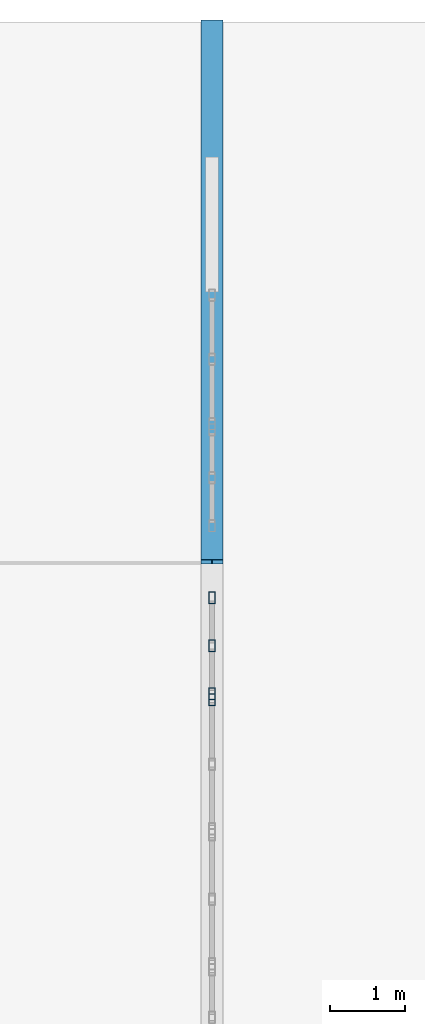
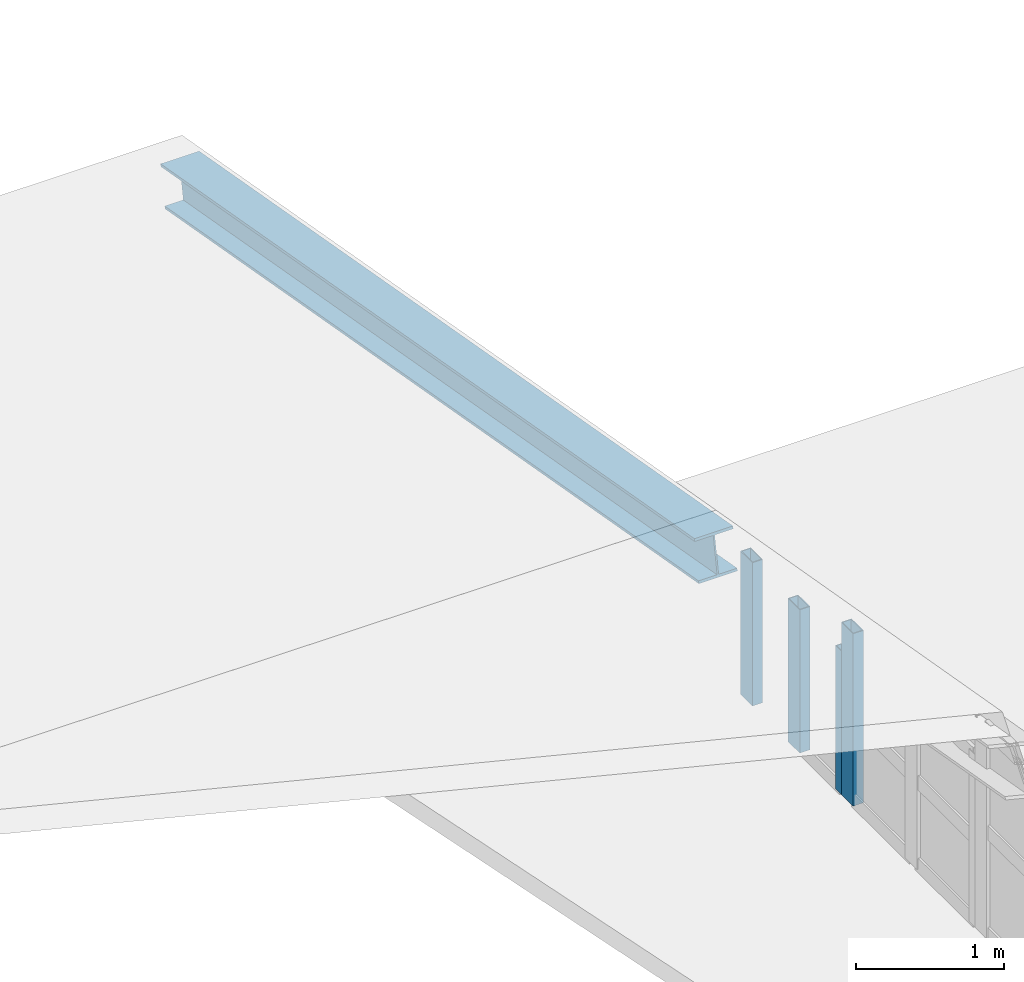
# One storey, part 16 of 39: 4 members, 1 beam, 2 elements without a shape of their own.
"""IFC4 building model written with IfcOpenShell, lengths in metres."""

import ifcopenshell
import ifcopenshell.guid

model = None  # the IFC model being written
_history = None  # IfcOwnerHistory: only IFC2X3 demands one
_inside = {}  # id of a spatial element -> (the spatial element, [elements in it])
_under = {}  # id of a project, library or spatial element -> (it, [spatial elements below it])
_declared = {}  # id of a project -> (the project, [libraries it declares])
_typed = {}  # id of a type object -> (the type object, [elements of that type])
_made_of = {}  # id of a material, layer set ... -> (it, [elements and type objects made of it])


def new_model(schema):
    """Start an empty IFC model of exactly this schema.

    Asked for "IFC4X3", IfcOpenShell would pick the latest addendum, in which some entities
    have other attributes; the version numbers below select the first issue.
    IFC2X3 requires an IfcOwnerHistory on every rooted entity: one is made here for all.
    """
    global model, _history
    if schema == "IFC4X3":
        model = ifcopenshell.file(schema_version=(4, 3, 0, 0))
    else:
        model = ifcopenshell.file(schema=schema)
    _inside.clear()
    _under.clear()
    _declared.clear()
    _typed.clear()
    _made_of.clear()
    _history = None
    if model.schema == "IFC2X3":
        org = make("IfcOrganization", Name="unknown")
        user = make(
            "IfcPersonAndOrganization",
            ThePerson=make("IfcPerson", FamilyName="unknown"),
            TheOrganization=org,
        )
        app = make(
            "IfcApplication",
            ApplicationDeveloper=org,
            Version="unknown",
            ApplicationFullName="unknown",
            ApplicationIdentifier="unknown",
        )
        _history = make(
            "IfcOwnerHistory",
            OwningUser=user,
            OwningApplication=app,
            ChangeAction="ADDED",
            CreationDate=0,
        )
    return model


def make(cls, **values):
    """One entity of the class cls with the attributes given. An attribute that is None is left unset."""
    return model.create_entity(
        cls, **{name: value for name, value in values.items() if value is not None}
    )


def rooted(cls, **values):
    """An entity with a GlobalId (a new one), such as an element, a storey or a relation."""
    return make(cls, GlobalId=ifcopenshell.guid.new(), OwnerHistory=_history, **values)


def si_unit(unit_type, name, prefix=None):
    """IfcSIUnit, for example si_unit("LENGTHUNIT", "METRE", prefix="MILLI")."""
    return make("IfcSIUnit", UnitType=unit_type, Prefix=prefix, Name=name)


def assignment(units):
    """IfcUnitAssignment: the units of a project."""
    return None if units is None else make("IfcUnitAssignment", Units=units)


def point(xyz):
    """IfcCartesianPoint."""
    return None if xyz is None else make("IfcCartesianPoint", Coordinates=xyz)


def direction(xyz):
    """IfcDirection."""
    return None if xyz is None else make("IfcDirection", DirectionRatios=xyz)


def frame(location, z_axis=None, x_axis=None):
    """IfcAxis2Placement3D, a coordinate frame: its origin and axes. An axis left out is left unset."""
    return make(
        "IfcAxis2Placement3D",
        Location=point(location),
        Axis=direction(z_axis),
        RefDirection=direction(x_axis),
    )


def frame_2d(location, x_axis=None):
    """IfcAxis2Placement2D, a coordinate frame in the plane: its origin and x axis."""
    return make(
        "IfcAxis2Placement2D", Location=point(location), RefDirection=direction(x_axis)
    )


def origin():
    """The frame at (0, 0, 0) with its axes left unset."""
    return frame((0.0, 0.0, 0.0))


def origin_2d():
    """The frame at (0, 0) in the plane with its x axis left unset."""
    return frame_2d((0.0, 0.0))


def place(relative_to, where):
    """IfcLocalPlacement: puts the frame where relative to a parent placement (None: the world)."""
    return make(
        "IfcLocalPlacement", PlacementRelTo=relative_to, RelativePlacement=where
    )


def context(
    kind, dimensions, precision=None, world=None, true_north=None, identifier=None
):
    """IfcGeometricRepresentationContext, for example the 3D "Model" context."""
    return make(
        "IfcGeometricRepresentationContext",
        ContextIdentifier=identifier,
        ContextType=kind,
        CoordinateSpaceDimension=dimensions,
        Precision=precision,
        WorldCoordinateSystem=world,
        TrueNorth=true_north,
    )


def subcontext(parent, identifier, kind, view, scale=None):
    """IfcGeometricRepresentationSubContext, for example "Body" below "Model"."""
    return make(
        "IfcGeometricRepresentationSubContext",
        ContextIdentifier=identifier,
        ContextType=kind,
        ParentContext=parent,
        TargetScale=scale,
        TargetView=view,
    )


def project(units=None, contexts=None):
    """IfcProject with its units and contexts."""
    return rooted(
        "IfcProject",
        Name="project",
        RepresentationContexts=contexts,
        UnitsInContext=assignment(units),
    )


def spatial(cls, under=None, at=None, **own):
    """A site, building, storey or space (cls), placed at a placement, below another one or the project."""
    s = rooted(cls, ObjectPlacement=at, **own)
    if under is not None:
        _under.setdefault(under.id(), (under, []))[1].append(s)
    return s


def profile(cls, at=None, kind="AREA", **sizes):
    """A parametric profile (cls). Its sizes go by their IFC names, for example OverallWidth=200.0."""
    return make(cls, ProfileType=kind, Position=at, **sizes)


def hollow_rectangle(**sizes):
    """IfcRectangleHollowProfileDef."""
    return profile("IfcRectangleHollowProfileDef", **sizes)


def i_section(**sizes):
    """IfcIShapeProfileDef."""
    return profile("IfcIShapeProfileDef", **sizes)


def extrude(swept, where, along, depth):
    """IfcExtrudedAreaSolid: the profile swept, set in the frame where, extruded along a direction by depth."""
    return make(
        "IfcExtrudedAreaSolid",
        SweptArea=swept,
        Position=where,
        ExtrudedDirection=direction(along),
        Depth=depth,
    )


def shape(context_of_items, identifier, shape_type, items):
    """IfcShapeRepresentation: the items that make up one representation, for example the "Body"."""
    return make(
        "IfcShapeRepresentation",
        ContextOfItems=context_of_items,
        RepresentationIdentifier=identifier,
        RepresentationType=shape_type,
        Items=items,
    )


def material(Name=None, Category=None):
    """IfcMaterial."""
    return make("IfcMaterial", Name=Name, Category=Category)


def layer(
    of_material, thickness, ventilated=None, Name=None, Category=None, Priority=None
):
    """IfcMaterialLayer: one layer of a wall or slab, of a material (None: an air gap)."""
    return make(
        "IfcMaterialLayer",
        Material=of_material,
        LayerThickness=thickness,
        IsVentilated=ventilated,
        Name=Name,
        Category=Category,
        Priority=Priority,
    )


def layer_set(layers, Name=None):
    """IfcMaterialLayerSet."""
    return make("IfcMaterialLayerSet", MaterialLayers=layers, LayerSetName=Name)


def material_profile(
    of_material, cross_section, Name=None, Category=None, Priority=None
):
    """IfcMaterialProfile: a cross section and its material."""
    return make(
        "IfcMaterialProfile",
        Name=Name,
        Material=of_material,
        Profile=cross_section,
        Priority=Priority,
        Category=Category,
    )


def profile_set(profiles, Name=None, composite=None):
    """IfcMaterialProfileSet."""
    return make(
        "IfcMaterialProfileSet",
        Name=Name,
        MaterialProfiles=profiles,
        CompositeProfile=composite,
    )


def made_of(thing, what):
    """Note that an element or type object is made of a material, layer set ...; save() writes the relation."""
    if what is not None:
        _made_of.setdefault(what.id(), (what, []))[1].append(thing)
    return thing


def type_object(cls, material=None, **own):
    """A type object (cls), such as IfcWallType, which elements share."""
    return made_of(rooted(cls, **own), material)


def element(
    cls,
    number,
    at=None,
    inside=None,
    cuts=None,
    type_object=None,
    material=None,
    context=None,
    identifier="Body",
    shape_type=None,
    held_by="IfcProductDefinitionShape",
    body=None,
    shapes=None,
    **own,
):
    """One element of the class cls, such as IfcWall. Its Tag is "e" and its number.

    at: its placement. inside: the storey or other place that contains it. cuts: it is an
    opening in that element (IfcRelVoidsElement). A single representation is given by context,
    identifier, shape_type and body (its items); several are given by shapes. held_by: the class
    of the entity that holds the representations. save() writes the other relations.
    """
    e = rooted(cls, Tag="e%d" % number, ObjectPlacement=at, **own)
    if body is not None:
        shapes = [shape(context, identifier, shape_type, body)]
    if shapes is not None:
        e.Representation = make(held_by, Representations=shapes)
    if inside is not None:
        _inside.setdefault(inside.id(), (inside, []))[1].append(e)
    if cuts is not None:
        rooted(
            "IfcRelVoidsElement", RelatingBuildingElement=cuts, RelatedOpeningElement=e
        )
    if type_object is not None:
        _typed.setdefault(type_object.id(), (type_object, []))[1].append(e)
    return made_of(e, material)


def aggregate(whole, parts):
    """IfcRelAggregates: a whole, such as a stair, and the parts it consists of."""
    return rooted("IfcRelAggregates", RelatingObject=whole, RelatedObjects=parts)


def save(model, path):
    """Write the relations noted so far, then the file.

    IfcRelAggregates (storeys below a building ...), IfcRelContainedInSpatialStructure (elements
    in a storey), IfcRelDefinesByType, IfcRelAssociatesMaterial and IfcRelDeclares: one each for
    every whole, place, type object, material and project.
    """
    for whole, parts in _under.values():
        aggregate(whole, parts)
    for where, things in _inside.values():
        rooted(
            "IfcRelContainedInSpatialStructure",
            RelatedElements=things,
            RelatingStructure=where,
        )
    for kind, things in _typed.values():
        rooted("IfcRelDefinesByType", RelatedObjects=things, RelatingType=kind)
    for what, things in _made_of.values():
        rooted("IfcRelAssociatesMaterial", RelatedObjects=things, RelatingMaterial=what)
    for by, libraries in _declared.values():
        rooted("IfcRelDeclares", RelatingContext=by, RelatedDefinitions=libraries)
    model.write(path)


model = new_model("IFC4")

# Units and contexts
model_context = context("Model", 3, precision=1e-05, world=origin(), true_north=direction((0.0, 1.0)))
body_context = subcontext(model_context, "Body", "Model", "MODEL_VIEW")
ifc_project = project(units=[si_unit("LENGTHUNIT", "METRE"), si_unit("AREAUNIT", "SQUARE_METRE"), si_unit("VOLUMEUNIT", "CUBIC_METRE"), si_unit("PLANEANGLEUNIT", "RADIAN"), si_unit("MASSUNIT", "GRAM", prefix="KILO"), si_unit("THERMODYNAMICTEMPERATUREUNIT", "KELVIN"), si_unit("POWERUNIT", "WATT")], contexts=[model_context])

# Site, building, storey
site_placement = place(None, origin())
site = spatial("IfcSite", under=ifc_project, at=site_placement, CompositionType="ELEMENT")
building_placement = place(site_placement, origin())
building = spatial("IfcBuilding", under=site, at=building_placement, Name="Kaldorven Railside Theatre", CompositionType="ELEMENT")
storey_placement = place(building_placement, frame((0.0, 0.0, 27.300048828125)))
storey = spatial("IfcBuildingStorey", under=building, at=storey_placement, Name="ROOF", CompositionType="ELEMENT", Elevation=27.300048828125)

# Beam
ifc_material_1 = material(Name="Steel S355", Category="steel")
ifc_material_profile_1 = material_profile(ifc_material_1, i_section(OverallWidth=0.300048828125, OverallDepth=0.340087890625, WebThickness=0.011962890625, FlangeThickness=0.021484375, at=origin_2d()), Name="HEB 340")
ifc_profile_set_1 = profile_set([ifc_material_profile_1], Name="Steel S355")
beam_type = type_object("IfcBeamType", Name="BM-HEB340", PredefinedType="SPANDREL", material=ifc_profile_set_1)
beam_placement = place(storey_placement, frame((137.60009765625, 134.39990234375, 0.911376953125), z_axis=(0.0, 0.984562635633, -0.175032615578), x_axis=(-1.0, 0.0, 0.0)))
element("IfcBeam", 1, at=beam_placement, inside=storey, type_object=beam_type, Name="Backstage Monsoon Roof Rafter RAF-175", PredefinedType="SPANDREL", context=body_context, shape_type="SweptSolid", body=[
    extrude(i_section(OverallWidth=0.300048828125, OverallDepth=0.340087890625, WebThickness=0.011962890625, FlangeThickness=0.021484375, at=origin_2d()), origin(), (0.0, 0.0, 1.0), 7.31298828125),
])

# Curtain wall, member
ifc_material_2 = material(Name="Low-E laminated solar-control glass", Category="glass")
ifc_layer_1 = layer(ifc_material_2, 0.159912109375, Name="Low-E laminated solar-control glass")
ifc_layer_set_1 = layer_set([ifc_layer_1], Name="Low-E laminated solar-control glass")
curtain_wall_type_1 = type_object("IfcCurtainWallType", Name="CWT-79", PredefinedType="USERDEFINED", material=ifc_layer_set_1)
curtain_wall_1_placement = place(storey_placement, origin())
curtain_wall_1 = element("IfcCurtainWall", 2, at=curtain_wall_1_placement, inside=storey, type_object=curtain_wall_type_1, Name="Upper Plant East Gable Clerestory CWG-194", ObjectType="FLUTED GLAZING", PredefinedType="USERDEFINED")
ifc_material_3 = material(Name="Anodised bronze aluminium", Category="aluminium")
ifc_material_profile_2 = material_profile(ifc_material_3, hollow_rectangle(XDim=0.080078125, YDim=0.159912109375, WallThickness=0.00634765625, at=origin_2d()), Name="RHS 160x80x6.3")
ifc_profile_set_2 = profile_set([ifc_material_profile_2], Name="Anodised bronze aluminium")
member_type = type_object("IfcMemberType", Name="CWM-160", PredefinedType="MULLION", material=ifc_profile_set_2)
member_1_placement = place(storey_placement, frame((137.60009765625, 132.56005859375, 0.02001953125), z_axis=(0.0, 0.0, 1.0), x_axis=(-1.0, 0.0, 0.0)))
member_1 = element("IfcMember", 3, at=member_1_placement, type_object=member_type, Name="CWG-194 mullion 3", PredefinedType="MULLION", context=body_context, shape_type="SweptSolid", body=[
    extrude(hollow_rectangle(XDim=0.080078125, YDim=0.159912109375, WallThickness=0.00634765625, at=origin_2d()), origin(), (0.0, 0.0, 1.0), 1.419921875),
])
aggregate(curtain_wall_1, [member_1])

# Curtain wall, members
ifc_layer_2 = layer(ifc_material_2, 0.159912109375, Name="Low-E laminated solar-control glass")
ifc_layer_set_2 = layer_set([ifc_layer_2], Name="Low-E laminated solar-control glass")
curtain_wall_type_2 = type_object("IfcCurtainWallType", Name="CWT-61", PredefinedType="USERDEFINED", material=ifc_layer_set_2)
curtain_wall_2_placement = place(storey_placement, origin())
curtain_wall_2 = element("IfcCurtainWall", 4, at=curtain_wall_2_placement, inside=storey, type_object=curtain_wall_type_2, Name="Upper Plant East Gable Clerestory CWG-195", ObjectType="FLUTED GLAZING", PredefinedType="USERDEFINED")
member_2_placement = place(storey_placement, frame((137.60009765625, 132.639892578125, 0.02001953125), z_axis=(0.0, 0.0, 1.0), x_axis=(-1.0, 0.0, 0.0)))
member_2 = element("IfcMember", 5, at=member_2_placement, type_object=member_type, Name="CWG-195 mullion 1", PredefinedType="MULLION", context=body_context, shape_type="SweptSolid", body=[
    extrude(hollow_rectangle(XDim=0.080078125, YDim=0.159912109375, WallThickness=0.00634765625, at=origin_2d()), origin(), (0.0, 0.0, 1.0), 1.179931640625),
])
member_3_placement = place(storey_placement, frame((137.60009765625, 133.280029296875, 0.02001953125), z_axis=(0.0, 0.0, 1.0), x_axis=(-1.0, 0.0, 0.0)))
member_3 = element("IfcMember", 6, at=member_3_placement, type_object=member_type, Name="CWG-195 mullion 2", PredefinedType="MULLION", context=body_context, shape_type="SweptSolid", body=[
    extrude(hollow_rectangle(XDim=0.080078125, YDim=0.159912109375, WallThickness=0.00634765625, at=origin_2d()), origin(), (0.0, 0.0, 1.0), 1.179931640625),
])
member_4_placement = place(storey_placement, frame((137.60009765625, 133.919921875, 0.02001953125), z_axis=(0.0, 0.0, 1.0), x_axis=(-1.0, 0.0, 0.0)))
member_4 = element("IfcMember", 7, at=member_4_placement, type_object=member_type, Name="CWG-195 mullion 3", PredefinedType="MULLION", context=body_context, shape_type="SweptSolid", body=[
    extrude(hollow_rectangle(XDim=0.080078125, YDim=0.159912109375, WallThickness=0.00634765625, at=origin_2d()), origin(), (0.0, 0.0, 1.0), 1.179931640625),
])
aggregate(curtain_wall_2, [member_2, member_3, member_4])

save(model, "model.ifc")
